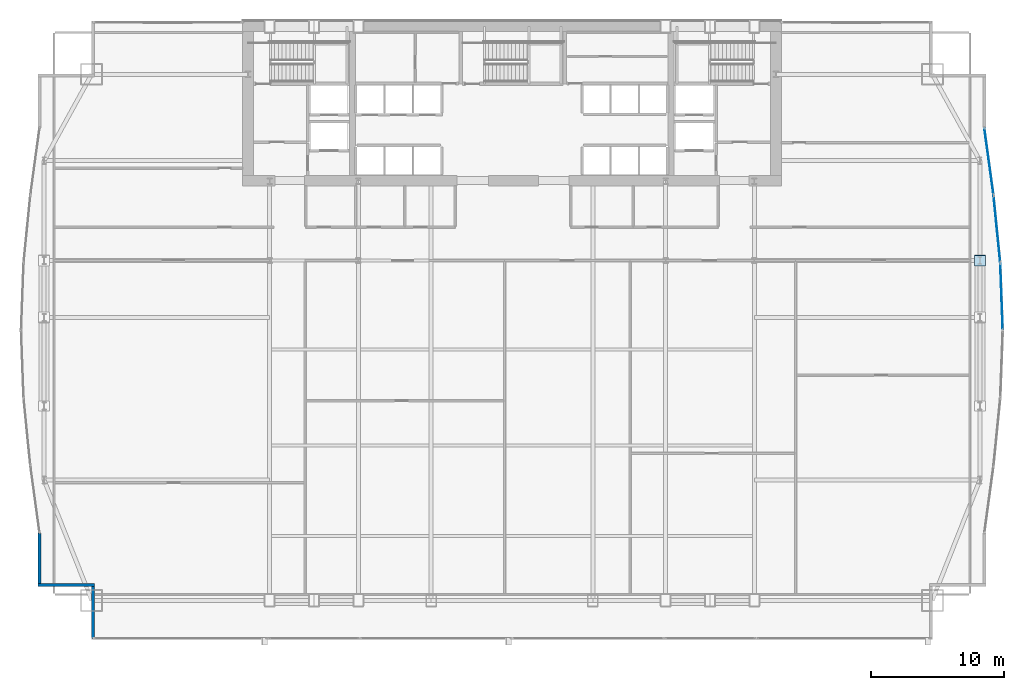
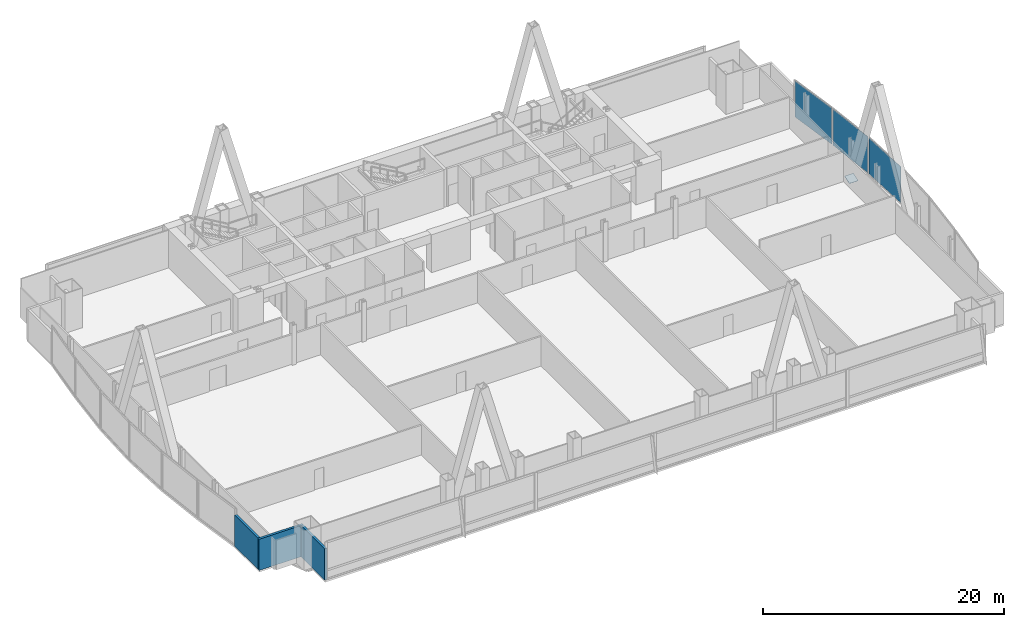
# One storey, part 27 of 35: 4 plates, 3 walls, 3 elements without a shape of their own.
"""IFC4 building model written with IfcOpenShell, lengths in metres."""

from ifc_helpers import new_model, si_unit, direction, frame, frame_2d, origin, origin_2d, place, context, subcontext, project, spatial, polyline, rectangle, outline, extrude, material, layer, layer_set, type_object, element, aggregate, save


model = new_model("IFC4")

# Units and contexts
model_context = context("Model", 3, precision=1e-05, world=origin(), true_north=direction((0.0, 1.0)))
body_context = subcontext(model_context, "Body", "Model", "MODEL_VIEW")
ifc_project = project(units=[si_unit("LENGTHUNIT", "METRE"), si_unit("AREAUNIT", "SQUARE_METRE"), si_unit("VOLUMEUNIT", "CUBIC_METRE"), si_unit("PLANEANGLEUNIT", "RADIAN"), si_unit("MASSUNIT", "GRAM", prefix="KILO")], contexts=[model_context])

# Site, building, storey
site_placement = place(None, origin())
site = spatial("IfcSite", under=ifc_project, at=site_placement, CompositionType="ELEMENT")
building_placement = place(site_placement, origin())
building = spatial("IfcBuilding", under=site, at=building_placement, Name="Khoronbel Lancet Exchange", CompositionType="ELEMENT")
storey_placement = place(building_placement, frame((0.0, 0.0, 37.800048828125)))
storey = spatial("IfcBuildingStorey", under=building, at=storey_placement, Name="L08", CompositionType="ELEMENT", Elevation=37.800048828125)

# Curtain wall, plate
ifc_material_1 = material(Name="Low-E Solar Control Insulating Glass", Category="glass")
curtain_wall_type = type_object("IfcCurtainWallType", Name="CW-4", PredefinedType="NOTDEFINED", material=ifc_material_1)
curtain_wall_1_placement = place(storey_placement, origin())
curtain_wall_1 = element("IfcCurtainWall", 1, at=curtain_wall_1_placement, inside=storey, type_object=curtain_wall_type, Name="Unitised curtain wall CW-L08-E18", PredefinedType="NOTDEFINED")
ifc_material_2 = material(Name="Bronze-Anodised Aluminium 6063-T6", Category="aluminium")
ifc_layer_1 = layer(ifc_material_2, 0.050048828125, Name="Bronze-Anodised Aluminium 6063-T6")
ifc_layer_set_1 = layer_set([ifc_layer_1], Name="Bronze-Anodised Aluminium 6063-T6")
plate_type_1 = type_object("IfcPlateType", Name="PLT-CSP1", PredefinedType="SHEET", material=ifc_layer_set_1)
plate_1_placement = place(storey_placement, frame((72.90966796875, 38.066650390625, 0.0849609375), z_axis=(0.0, 0.0, 1.0), x_axis=(0.099602645371, -0.995027292608, 0.0)))
plate_1 = element("IfcPlate", 2, at=plate_1_placement, type_object=plate_type_1, Name="CW4 panel 1.1", PredefinedType="CURTAIN_PANEL", context=body_context, shape_type="SweptSolid", body=[
    extrude(rectangle(XDim=4.954345703125, YDim=0.0380859375, at=origin_2d()), origin(), (0.0, 0.0, 1.0), 3.64990234375),
])
aggregate(curtain_wall_1, [plate_1])

curtain_wall_2_placement = place(storey_placement, origin())
curtain_wall_2 = element("IfcCurtainWall", 3, at=curtain_wall_2_placement, inside=storey, type_object=curtain_wall_type, Name="Unitised curtain wall CW-L08-E19", PredefinedType="NOTDEFINED")
plate_2_placement = place(storey_placement, frame((73.2568359375, 32.988525390625, 0.0849609375), z_axis=(0.0, 0.0, 1.0), x_axis=(0.036590150718, -0.999330356224, 0.0)))
plate_2 = element("IfcPlate", 4, at=plate_2_placement, type_object=plate_type_1, Name="CW4 panel 1.1", PredefinedType="CURTAIN_PANEL", context=body_context, shape_type="SweptSolid", body=[
    extrude(rectangle(XDim=4.9306640625, YDim=0.0380859375, at=origin_2d()), origin(), (0.0, 0.0, 1.0), 3.64990234375),
])
aggregate(curtain_wall_2, [plate_2])

curtain_wall_3_placement = place(storey_placement, origin())
curtain_wall_3 = element("IfcCurtainWall", 5, at=curtain_wall_3_placement, inside=storey, type_object=curtain_wall_type, Name="Unitised curtain wall CW-L08-E17", PredefinedType="NOTDEFINED")
ifc_material_3 = material(Name="Ceramic-Fritted Laminated Insulating Glass", Category="glass")
ifc_layer_2 = layer(ifc_material_3, 0.0419921875, Name="Ceramic-Fritted Laminated Insulating Glass")
ifc_layer_set_2 = layer_set([ifc_layer_2], Name="Ceramic-Fritted Laminated Insulating Glass")
plate_type_2 = type_object("IfcPlateType", Name="PLT-CWP2", PredefinedType="CURTAIN_PANEL", material=ifc_layer_set_2)
plate_3_placement = place(storey_placement, frame((72.307861328125, 43.14990234375, 0.0849609375), z_axis=(0.0, 0.0, 1.0), x_axis=(0.135439945613, -0.990785557592, 0.0)))
plate_3 = element("IfcPlate", 6, at=plate_3_placement, type_object=plate_type_2, Name="CW4 panel 1.1", PredefinedType="CURTAIN_PANEL", context=body_context, shape_type="SweptSolid", body=[
    extrude(rectangle(XDim=4.985107421875, YDim=0.0380859375, at=origin_2d()), origin(), (0.0, 0.0, 1.0), 3.64990234375),
])
aggregate(curtain_wall_3, [plate_3])

# Plate
ifc_material_4 = material(Name="Steel S460", Category="steel")
ifc_layer_3 = layer(ifc_material_4, 0.044921875, Name="Steel S460")
ifc_layer_set_3 = layer_set([ifc_layer_3], Name="Steel S460")
plate_type_3 = type_object("IfcPlateType", Name="PLT-ECP1", PredefinedType="USERDEFINED", material=ifc_layer_set_3)
plate_4_placement = place(storey_placement, frame((71.2099609375, 35.30029296875, -0.129638671875), z_axis=(0.0, -0.335433979759, 0.942063716116), x_axis=(1.0, 0.0, 0.0)))
element("IfcPlate", 7, at=plate_4_placement, inside=storey, type_object=plate_type_3, Name="Hollow end cap plate PLT-CAP-MEM-MB-T02-E-P-R-0", ObjectType="STIFFENER_PLATE", PredefinedType="USERDEFINED", context=body_context, shape_type="SweptSolid", body=[
    extrude(outline(polyline([(0.0, 0.0), (0.840087890625, 0.0), (0.840087890625, 0.83984375), (0.0, 0.83984375), (0.0, 0.0)])), origin(), (0.0, 0.0, -1.0), 0.044921875),
])

# Walls
ifc_material_5 = material(Name="Precast concrete C40/50", Category="concrete")
ifc_layer_4 = layer(ifc_material_5, 0.25, Name="Precast concrete C40/50")
ifc_layer_set_4 = layer_set([ifc_layer_4], Name="Precast concrete C40/50")
wall_type = type_object("IfcWallType", Name="WL-EXT250", PredefinedType="SOLIDWALL", material=ifc_layer_set_4)
wall_1_placement = place(storey_placement, frame((4.93994140625, 7.27001953125, 0.0), z_axis=(0.0, 0.0, 1.0), x_axis=(0.0, 1.0, 0.0)))
element("IfcWall", 8, at=wall_1_placement, inside=storey, type_object=wall_type, Name="Level L08 notched-corner limestone pier 01", PredefinedType="SOLIDWALL", context=body_context, shape_type="SweptSolid", body=[
    extrude(rectangle(XDim=3.909912109375, YDim=0.219970703125, at=frame_2d((1.955078125, 0.0))), origin(), (0.0, 0.0, 1.0), 3.159912109375),
])
wall_2_placement = place(storey_placement, frame((5.050048828125, 11.2900390625, 0.0), z_axis=(0.0, 0.0, 1.0), x_axis=(-1.0, 0.0, 0.0)))
element("IfcWall", 9, at=wall_2_placement, inside=storey, type_object=wall_type, Name="Level L08 notched-corner limestone pier 02", PredefinedType="SOLIDWALL", context=body_context, shape_type="SweptSolid", body=[
    extrude(rectangle(XDim=4.219970703125, YDim=0.219970703125, at=frame_2d((2.10986328125, 0.0))), origin(), (0.0, 0.0, 1.0), 3.159912109375),
])
wall_3_placement = place(storey_placement, frame((0.93994140625, 11.39990234375, 0.0), z_axis=(0.0, 0.0, 1.0), x_axis=(0.0, 1.0, 0.0)))
element("IfcWall", 10, at=wall_3_placement, inside=storey, type_object=wall_type, Name="Level L08 notched-corner limestone pier 03", PredefinedType="SOLIDWALL", context=body_context, shape_type="SweptSolid", body=[
    extrude(rectangle(XDim=3.826171875, YDim=0.219970703125, at=frame_2d((1.9130859375, 0.0))), origin(), (0.0, 0.0, 1.0), 3.159912109375),
])

save(model, "model.ifc")
